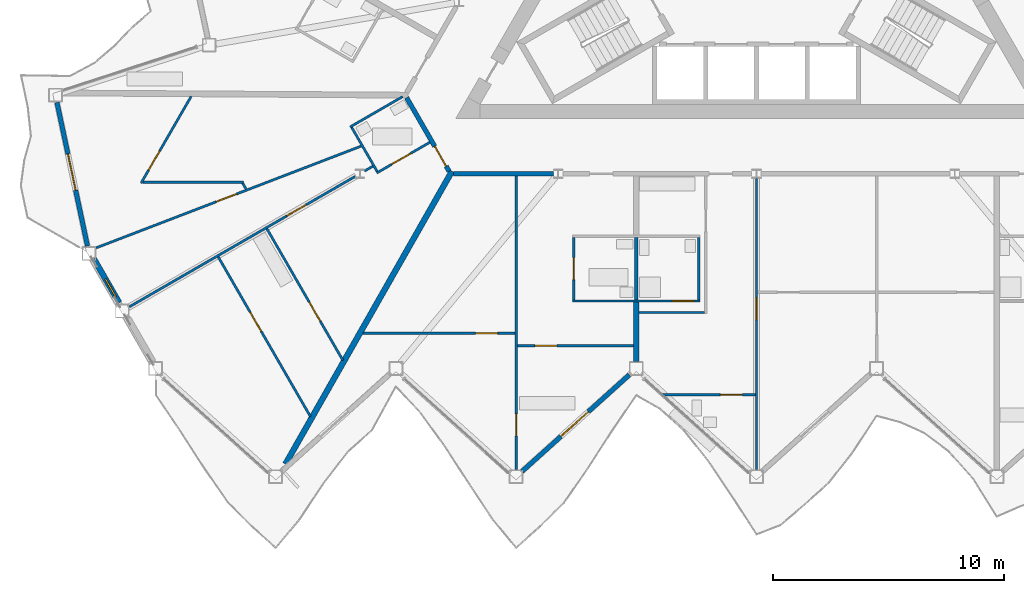
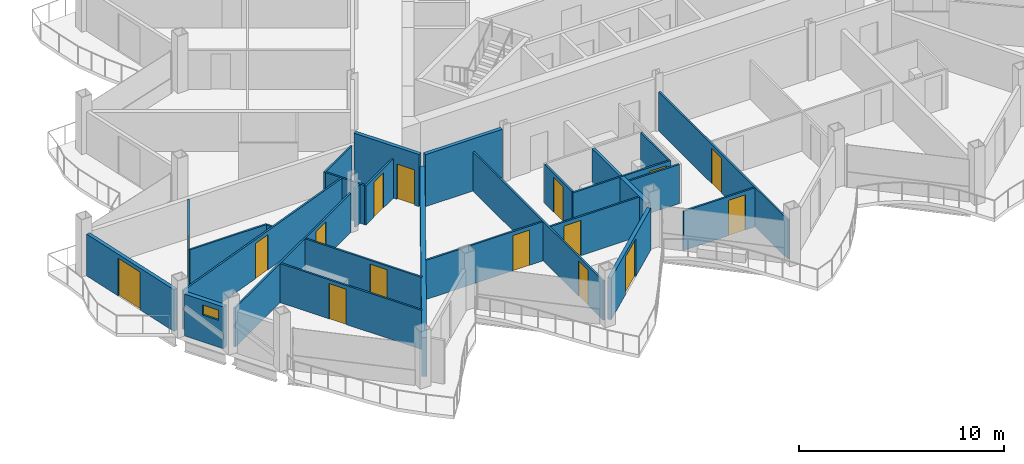
# One storey, part 12 of 26: 28 walls, 16 doors, 1 window, 17 openings.
"""IFC4 building model written with IfcOpenShell, lengths in metres."""

from ifc_helpers import new_model, si_unit, direction, frame, frame_2d, origin, place, context, subcontext, project, spatial, rectangle, extrude, material, layer, layer_set, type_object, element, fill, save


model = new_model("IFC4")

# Units and contexts
model_context = context("Model", 3, precision=1e-05, world=origin(), true_north=direction((0.0, 1.0)))
body_context = subcontext(model_context, "Body", "Model", "MODEL_VIEW")
ifc_project = project(units=[si_unit("LENGTHUNIT", "METRE"), si_unit("AREAUNIT", "SQUARE_METRE"), si_unit("VOLUMEUNIT", "CUBIC_METRE"), si_unit("PLANEANGLEUNIT", "RADIAN"), si_unit("MASSUNIT", "GRAM", prefix="KILO")], contexts=[model_context])

# Site, building, storey
site_placement = place(None, origin())
site = spatial("IfcSite", under=ifc_project, at=site_placement, CompositionType="ELEMENT")
building_placement = place(site_placement, origin())
building = spatial("IfcBuilding", under=site, at=building_placement, Name="Cormorant Prow Tower", CompositionType="ELEMENT")
storey_placement = place(building_placement, frame((0.0, 0.0, 342.60009765625)))
storey = spatial("IfcBuildingStorey", under=building, at=storey_placement, Name="L77", CompositionType="ELEMENT", Elevation=342.60009765625)

# Wall
ifc_material_1 = material(Name="Gypsum board corridor wall")
ifc_layer_1 = layer(ifc_material_1, 0.199951171875)
ifc_layer_set_1 = layer_set([ifc_layer_1], Name="Gypsum board corridor wall")
wall_type_1 = type_object("IfcWallType", Name="Corridor wall 200", PredefinedType="PARTITIONING", material=ifc_layer_set_1)
wall_1_placement = place(storey_placement, frame((-13.10595703125, -9.905517578125, 0.0), z_axis=(0.0, 0.0, 1.0), x_axis=(1.0, 0.0, 0.0)))
element("IfcWall", 1, at=wall_1_placement, inside=storey, type_object=wall_type_1, Name="Corridor wall", PredefinedType="PARTITIONING", context=body_context, shape_type="SweptSolid", body=[
    extrude(rectangle(XDim=4.31982421875, YDim=0.199951171875, at=frame_2d((2.159912109375, 0.0))), origin(), (0.0, 0.0, 1.0), 3.099853515625),
])

# Wall, opening, door
wall_2_placement = place(storey_placement, frame((-15.13134765625, -6.61376953125, 0.0), z_axis=(0.0, 0.0, 1.0), x_axis=(0.499967746641, -0.866044024469, 0.0)))
wall_2 = element("IfcWall", 2, at=wall_2_placement, inside=storey, type_object=wall_type_1, Name="Corridor wall", PredefinedType="PARTITIONING", context=body_context, shape_type="SweptSolid", body=[
    extrude(rectangle(XDim=3.676025390625, YDim=0.199951171875, at=frame_2d((1.837890625, 0.0))), origin(), (0.0, 0.0, 1.0), 3.099853515625),
])
opening_1_placement = place(wall_2_placement, frame((2.426025390625, 0.0, 0.0)))
opening_1 = element("IfcOpeningElement", 3, at=opening_1_placement, cuts=wall_2, Name="Opening L77-F54", PredefinedType="OPENING", context=body_context, shape_type="SweptSolid", body=[
    extrude(rectangle(XDim=1.0, YDim=2.10009765625, at=frame_2d((0.5, 1.050048828125))), frame((0.0, 0.10986328125, 0.0), z_axis=(0.0, -1.0, 0.0), x_axis=(1.0, 0.0, 0.0)), (0.0, 0.0, 1.0), 0.219970703125),
])
ifc_material_2 = material(Name="Timber door leaf", Category="wood")
door_type_1 = type_object("IfcDoorType", Name="Flat or room entrance door 1000x2100", OperationType="NOTDEFINED", PredefinedType="DOOR", material=ifc_material_2)
door_1_placement = place(opening_1_placement, origin())
door_1 = element("IfcDoor", 4, at=door_1_placement, inside=storey, type_object=door_type_1, Name="Living room door", OperationType="SINGLE_SWING_RIGHT", OverallHeight=2.10009765625, OverallWidth=1.0, PredefinedType="DOOR", context=body_context, shape_type="SweptSolid", body=[
    extrude(rectangle(XDim=1.0, YDim=2.10009765625, at=frame_2d((0.5, 1.050048828125))), frame((0.0, 0.02490234375, 0.0), z_axis=(0.0, -1.0, 0.0), x_axis=(1.0, 0.0, 0.0)), (0.0, 0.0, 1.0), 0.050048828125),
])
fill(opening_1, door_1)

ifc_material_3 = material(Name="Gypsum board partition")
ifc_layer_2 = layer(ifc_material_3, 0.10009765625)
ifc_layer_set_2 = layer_set([ifc_layer_2], Name="Gypsum board partition")
wall_type_2 = type_object("IfcWallType", Name="Internal partition 100", PredefinedType="PARTITIONING", material=ifc_layer_set_2)
wall_3_placement = place(storey_placement, frame((-10.39501953125, -22.697998046875, 0.0), z_axis=(0.0, 0.0, 1.0), x_axis=(0.0, 1.0, 0.0)))
wall_3 = element("IfcWall", 5, at=wall_3_placement, inside=storey, type_object=wall_type_2, Name="Internal partition", PredefinedType="PARTITIONING", context=body_context, shape_type="SweptSolid", body=[
    extrude(rectangle(XDim=12.6923828125, YDim=0.10009765625, at=frame_2d((6.34619140625, 0.0))), origin(), (0.0, 0.0, 1.0), 2.330078125),
])
opening_2_placement = place(wall_3_placement, frame((1.45458984375, 0.0, 0.0)))
opening_2 = element("IfcOpeningElement", 6, at=opening_2_placement, cuts=wall_3, Name="Opening L77-F04", PredefinedType="OPENING", context=body_context, shape_type="SweptSolid", body=[
    extrude(rectangle(XDim=0.949951171875, YDim=2.10009765625, at=frame_2d((0.47509765625, 1.050048828125))), frame((0.0, 0.06005859375, 0.0), z_axis=(0.0, -1.0, 0.0), x_axis=(1.0, 0.0, 0.0)), (0.0, 0.0, 1.0), 0.1201171875),
])
ifc_material_4 = material(Name="Timber door leaf", Category="wood")
door_type_2 = type_object("IfcDoorType", Name="Bathroom door 950x2100", OperationType="NOTDEFINED", PredefinedType="DOOR", material=ifc_material_4)
door_2_placement = place(opening_2_placement, origin())
door_2 = element("IfcDoor", 7, at=door_2_placement, inside=storey, type_object=door_type_2, Name="Kitchen door", OperationType="SINGLE_SWING_LEFT", OverallHeight=2.10009765625, OverallWidth=0.949951171875, PredefinedType="DOOR", context=body_context, shape_type="SweptSolid", body=[
    extrude(rectangle(XDim=0.949951171875, YDim=2.10009765625, at=frame_2d((0.47509765625, 1.050048828125))), frame((0.0, 0.02490234375, 0.0), z_axis=(0.0, -1.0, 0.0), x_axis=(1.0, 0.0, 0.0)), (0.0, 0.0, 1.0), 0.050048828125),
])
fill(opening_2, door_2)

wall_4_placement = place(storey_placement, frame((0.0, -22.697998046875, 0.0), z_axis=(0.0, 0.0, 1.0), x_axis=(0.0, 1.0, 0.0)))
wall_4 = element("IfcWall", 8, at=wall_4_placement, inside=storey, type_object=wall_type_2, Name="Internal partition", PredefinedType="PARTITIONING", context=body_context, shape_type="SweptSolid", body=[
    extrude(rectangle(XDim=12.584716796875, YDim=0.10009765625, at=frame_2d((6.29248046875, 0.0))), origin(), (0.0, 0.0, 1.0), 2.330078125),
])
opening_3_placement = place(wall_4_placement, frame((6.469482421875, 0.0, 0.0)))
opening_3 = element("IfcOpeningElement", 9, at=opening_3_placement, cuts=wall_4, Name="Opening L77-F09", PredefinedType="OPENING", context=body_context, shape_type="SweptSolid", body=[
    extrude(rectangle(XDim=0.949951171875, YDim=2.10009765625, at=frame_2d((0.47509765625, 1.050048828125))), frame((0.0, 0.06005859375, 0.0), z_axis=(0.0, -1.0, 0.0), x_axis=(1.0, 0.0, 0.0)), (0.0, 0.0, 1.0), 0.1201171875),
])
door_3_placement = place(opening_3_placement, origin())
door_3 = element("IfcDoor", 10, at=door_3_placement, inside=storey, type_object=door_type_2, Name="Living room door", OperationType="SINGLE_SWING_RIGHT", OverallHeight=2.10009765625, OverallWidth=0.949951171875, PredefinedType="DOOR", context=body_context, shape_type="SweptSolid", body=[
    extrude(rectangle(XDim=0.949951171875, YDim=2.10009765625, at=frame_2d((0.47509765625, 1.050048828125))), frame((0.0, 0.02490234375, 0.0), z_axis=(0.0, -1.0, 0.0), x_axis=(1.0, 0.0, 0.0)), (0.0, 0.0, 1.0), 0.050048828125),
])
fill(opening_3, door_3)

wall_5_placement = place(storey_placement, frame((-28.55908203125, -13.109619140625, 0.0), z_axis=(0.0, 0.0, 1.0), x_axis=(0.933581651686, 0.358364757802, 0.0)))
wall_5 = element("IfcWall", 11, at=wall_5_placement, inside=storey, type_object=wall_type_2, Name="Internal partition", PredefinedType="PARTITIONING", context=body_context, shape_type="SweptSolid", body=[
    extrude(rectangle(XDim=12.2783203125, YDim=0.10009765625, at=frame_2d((6.13916015625, 0.0))), origin(), (0.0, 0.0, 1.0), 2.330078125),
])
opening_4_placement = place(wall_5_placement, frame((5.56396484375, 0.0, 0.0)))
opening_4 = element("IfcOpeningElement", 12, at=opening_4_placement, cuts=wall_5, Name="Opening L77-F59", PredefinedType="OPENING", context=body_context, shape_type="SweptSolid", body=[
    extrude(rectangle(XDim=0.949951171875, YDim=2.10009765625, at=frame_2d((0.47509765625, 1.050048828125))), frame((0.0, 0.06005859375, 0.0), z_axis=(0.0, -1.0, 0.0), x_axis=(1.0, 0.0, 0.0)), (0.0, 0.0, 1.0), 0.1201171875),
])
door_4_placement = place(opening_4_placement, origin())
door_4 = element("IfcDoor", 13, at=door_4_placement, inside=storey, type_object=door_type_2, Name="Bedroom door", OperationType="SINGLE_SWING_RIGHT", OverallHeight=2.10009765625, OverallWidth=0.949951171875, PredefinedType="DOOR", context=body_context, shape_type="SweptSolid", body=[
    extrude(rectangle(XDim=0.949951171875, YDim=2.10009765625, at=frame_2d((0.47509765625, 1.050048828125))), frame((0.0, 0.02490234375, 0.0), z_axis=(0.0, -1.0, 0.0), x_axis=(1.0, 0.0, 0.0)), (0.0, 0.0, 1.0), 0.050048828125),
])
fill(opening_4, door_4)

wall_6_placement = place(storey_placement, frame((-27.122314453125, -15.6591796875, 0.0), z_axis=(0.0, 0.0, 1.0), x_axis=(0.866021046153, 0.500007547564, 0.0)))
wall_6 = element("IfcWall", 14, at=wall_6_placement, inside=storey, type_object=wall_type_2, Name="Internal partition", PredefinedType="PARTITIONING", context=body_context, shape_type="SweptSolid", body=[
    extrude(rectangle(XDim=11.267333984375, YDim=0.10009765625, at=frame_2d((5.6337890625, 0.0))), origin(), (0.0, 0.0, 1.0), 2.330078125),
])
opening_5_placement = place(wall_6_placement, frame((7.86328125, 0.0, 0.0)))
opening_5 = element("IfcOpeningElement", 15, at=opening_5_placement, cuts=wall_6, Name="Opening L77-F58", PredefinedType="OPENING", context=body_context, shape_type="SweptSolid", body=[
    extrude(rectangle(XDim=0.949951171875, YDim=2.10009765625, at=frame_2d((0.47509765625, 1.050048828125))), frame((0.0, 0.06005859375, 0.0), z_axis=(0.0, -1.0, 0.0), x_axis=(1.0, 0.0, 0.0)), (0.0, 0.0, 1.0), 0.1201171875),
])
door_5_placement = place(opening_5_placement, origin())
door_5 = element("IfcDoor", 16, at=door_5_placement, inside=storey, type_object=door_type_2, Name="Living room door", OperationType="SINGLE_SWING_LEFT", OverallHeight=2.10009765625, OverallWidth=0.949951171875, PredefinedType="DOOR", context=body_context, shape_type="SweptSolid", body=[
    extrude(rectangle(XDim=0.949951171875, YDim=2.10009765625, at=frame_2d((0.47509765625, 1.050048828125))), frame((0.0, 0.02490234375, 0.0), z_axis=(0.0, -1.0, 0.0), x_axis=(1.0, 0.0, 0.0)), (0.0, 0.0, 1.0), 0.050048828125),
])
fill(opening_5, door_5)

wall_7_placement = place(storey_placement, frame((-23.28076171875, -13.498779296875, 0.0), z_axis=(0.0, 0.0, 1.0), x_axis=(0.499994510044, -0.866028573389, 0.0)))
wall_7 = element("IfcWall", 17, at=wall_7_placement, inside=storey, type_object=wall_type_2, Name="Internal partition", PredefinedType="PARTITIONING", context=body_context, shape_type="SweptSolid", body=[
    extrude(rectangle(XDim=7.97509765625, YDim=0.10009765625, at=frame_2d((3.987548828125, 0.0))), origin(), (0.0, 0.0, 1.0), 2.330078125),
])
opening_6_placement = place(wall_7_placement, frame((2.759765625, 0.0, 0.0)))
opening_6 = element("IfcOpeningElement", 18, at=opening_6_placement, cuts=wall_7, Name="Opening L77-F57", PredefinedType="OPENING", context=body_context, shape_type="SweptSolid", body=[
    extrude(rectangle(XDim=0.949951171875, YDim=2.10009765625, at=frame_2d((0.47509765625, 1.050048828125))), frame((0.0, 0.06005859375, 0.0), z_axis=(0.0, -1.0, 0.0), x_axis=(1.0, 0.0, 0.0)), (0.0, 0.0, 1.0), 0.1201171875),
])
door_6_placement = place(opening_6_placement, origin())
door_6 = element("IfcDoor", 19, at=door_6_placement, inside=storey, type_object=door_type_2, Name="Kitchen door", OperationType="SINGLE_SWING_RIGHT", OverallHeight=2.10009765625, OverallWidth=0.949951171875, PredefinedType="DOOR", context=body_context, shape_type="SweptSolid", body=[
    extrude(rectangle(XDim=0.949951171875, YDim=2.10009765625, at=frame_2d((0.47509765625, 1.050048828125))), frame((0.0, 0.02490234375, 0.0), z_axis=(0.0, -1.0, 0.0), x_axis=(1.0, 0.0, 0.0)), (0.0, 0.0, 1.0), 0.050048828125),
])
fill(opening_6, door_6)

wall_8_placement = place(storey_placement, frame((-17.028076171875, -16.801025390625, 0.0), z_axis=(0.0, 0.0, 1.0), x_axis=(1.0, 0.0, 0.0)))
wall_8 = element("IfcWall", 20, at=wall_8_placement, inside=storey, type_object=wall_type_2, Name="Internal partition", PredefinedType="PARTITIONING", context=body_context, shape_type="SweptSolid", body=[
    extrude(rectangle(XDim=6.5830078125, YDim=0.10009765625, at=frame_2d((3.29150390625, 0.0))), origin(), (0.0, 0.0, 1.0), 2.330078125),
])
opening_7_placement = place(wall_8_placement, frame((4.879638671875, 0.0, 0.0)))
opening_7 = element("IfcOpeningElement", 21, at=opening_7_placement, cuts=wall_8, Name="Opening L77-F05", PredefinedType="OPENING", context=body_context, shape_type="SweptSolid", body=[
    extrude(rectangle(XDim=0.949951171875, YDim=2.10009765625, at=frame_2d((0.47509765625, 1.050048828125))), frame((0.0, 0.06005859375, 0.0), z_axis=(0.0, -1.0, 0.0), x_axis=(1.0, 0.0, 0.0)), (0.0, 0.0, 1.0), 0.1201171875),
])
door_7_placement = place(opening_7_placement, origin())
door_7 = element("IfcDoor", 22, at=door_7_placement, inside=storey, type_object=door_type_2, Name="Bedroom door", OperationType="SINGLE_SWING_RIGHT", OverallHeight=2.10009765625, OverallWidth=0.949951171875, PredefinedType="DOOR", context=body_context, shape_type="SweptSolid", body=[
    extrude(rectangle(XDim=0.949951171875, YDim=2.10009765625, at=frame_2d((0.47509765625, 1.050048828125))), frame((0.0, 0.02490234375, 0.0), z_axis=(0.0, -1.0, 0.0), x_axis=(1.0, 0.0, 0.0)), (0.0, 0.0, 1.0), 0.050048828125),
])
fill(opening_7, door_7)

wall_9_placement = place(storey_placement, frame((-21.175048828125, -12.283203125, 0.0), z_axis=(0.0, 0.0, 1.0), x_axis=(0.49999903102, -0.866025963225, 0.0)))
wall_9 = element("IfcWall", 23, at=wall_9_placement, inside=storey, type_object=wall_type_2, Name="Internal partition", PredefinedType="PARTITIONING", context=body_context, shape_type="SweptSolid", body=[
    extrude(rectangle(XDim=6.5712890625, YDim=0.10009765625, at=frame_2d((3.28564453125, 0.0))), origin(), (0.0, 0.0, 1.0), 2.330078125),
])
opening_8_placement = place(wall_9_placement, frame((3.664306640625, 0.0, 0.0)))
opening_8 = element("IfcOpeningElement", 24, at=opening_8_placement, cuts=wall_9, Name="Opening L77-F56", PredefinedType="OPENING", context=body_context, shape_type="SweptSolid", body=[
    extrude(rectangle(XDim=0.949951171875, YDim=2.10009765625, at=frame_2d((0.47509765625, 1.050048828125))), frame((0.0, 0.06005859375, 0.0), z_axis=(0.0, -1.0, 0.0), x_axis=(1.0, 0.0, 0.0)), (0.0, 0.0, 1.0), 0.1201171875),
])
door_8_placement = place(opening_8_placement, origin())
door_8 = element("IfcDoor", 25, at=door_8_placement, inside=storey, type_object=door_type_2, Name="Living room door", OperationType="SINGLE_SWING_RIGHT", OverallHeight=2.10009765625, OverallWidth=0.949951171875, PredefinedType="DOOR", context=body_context, shape_type="SweptSolid", body=[
    extrude(rectangle(XDim=0.949951171875, YDim=2.10009765625, at=frame_2d((0.47509765625, 1.050048828125))), frame((0.0, 0.02490234375, 0.0), z_axis=(0.0, -1.0, 0.0), x_axis=(1.0, 0.0, 0.0)), (0.0, 0.0, 1.0), 0.050048828125),
])
fill(opening_8, door_8)

wall_10_placement = place(storey_placement, frame((-7.947509765625, -15.405517578125, 0.0), z_axis=(0.0, 0.0, 1.0), x_axis=(1.0, 0.0, 0.0)))
wall_10 = element("IfcWall", 26, at=wall_10_placement, inside=storey, type_object=wall_type_2, Name="Internal partition", PredefinedType="PARTITIONING", context=body_context, shape_type="SweptSolid", body=[
    extrude(rectangle(XDim=5.5, YDim=0.10009765625, at=frame_2d((2.75, 0.0))), origin(), (0.0, 0.0, 1.0), 2.330078125),
])
opening_9_placement = place(wall_10_placement, frame((4.300048828125, 0.0, 0.0)))
opening_9 = element("IfcOpeningElement", 27, at=opening_9_placement, cuts=wall_10, Name="Opening L77-F13", PredefinedType="OPENING", context=body_context, shape_type="SweptSolid", body=[
    extrude(rectangle(XDim=0.949951171875, YDim=2.10009765625, at=frame_2d((0.47509765625, 1.050048828125))), frame((0.0, 0.06005859375, 0.0), z_axis=(0.0, -1.0, 0.0), x_axis=(1.0, 0.0, 0.0)), (0.0, 0.0, 1.0), 0.1201171875),
])
door_9_placement = place(opening_9_placement, origin())
door_9 = element("IfcDoor", 28, at=door_9_placement, inside=storey, type_object=door_type_2, Name="Kitchen door", OperationType="SINGLE_SWING_RIGHT", OverallHeight=2.10009765625, OverallWidth=0.949951171875, PredefinedType="DOOR", context=body_context, shape_type="SweptSolid", body=[
    extrude(rectangle(XDim=0.949951171875, YDim=2.10009765625, at=frame_2d((0.47509765625, 1.050048828125))), frame((0.0, 0.02490234375, 0.0), z_axis=(0.0, -1.0, 0.0), x_axis=(1.0, 0.0, 0.0)), (0.0, 0.0, 1.0), 0.050048828125),
])
fill(opening_9, door_9)

wall_11_placement = place(storey_placement, frame((-10.34521484375, -17.34228515625, 0.0), z_axis=(0.0, 0.0, 1.0), x_axis=(1.0, 0.0, 0.0)))
wall_11 = element("IfcWall", 29, at=wall_11_placement, inside=storey, type_object=wall_type_2, Name="Internal partition", PredefinedType="PARTITIONING", context=body_context, shape_type="SweptSolid", body=[
    extrude(rectangle(XDim=5.022705078125, YDim=0.10009765625, at=frame_2d((2.51123046875, 0.0))), origin(), (0.0, 0.0, 1.0), 2.330078125),
])
opening_10_placement = place(wall_11_placement, frame((0.76025390625, 0.0, 0.0)))
opening_10 = element("IfcOpeningElement", 30, at=opening_10_placement, cuts=wall_11, Name="Opening L77-F03", PredefinedType="OPENING", context=body_context, shape_type="SweptSolid", body=[
    extrude(rectangle(XDim=0.949951171875, YDim=2.10009765625, at=frame_2d((0.47509765625, 1.050048828125))), frame((0.0, 0.06005859375, 0.0), z_axis=(0.0, -1.0, 0.0), x_axis=(1.0, 0.0, 0.0)), (0.0, 0.0, 1.0), 0.1201171875),
])
door_10_placement = place(opening_10_placement, origin())
door_10 = element("IfcDoor", 31, at=door_10_placement, inside=storey, type_object=door_type_2, Name="Living room door", OperationType="SINGLE_SWING_LEFT", OverallHeight=2.10009765625, OverallWidth=0.949951171875, PredefinedType="DOOR", context=body_context, shape_type="SweptSolid", body=[
    extrude(rectangle(XDim=0.949951171875, YDim=2.10009765625, at=frame_2d((0.47509765625, 1.050048828125))), frame((0.0, 0.02490234375, 0.0), z_axis=(0.0, -1.0, 0.0), x_axis=(1.0, 0.0, 0.0)), (0.0, 0.0, 1.0), 0.050048828125),
])
fill(opening_10, door_10)

wall_12_placement = place(storey_placement, frame((-26.618896484375, -10.3125, 0.0), z_axis=(0.0, 0.0, 1.0), x_axis=(0.500060114735, 0.865990693744, 0.0)))
wall_12 = element("IfcWall", 32, at=wall_12_placement, inside=storey, type_object=wall_type_2, Name="Internal partition", PredefinedType="PARTITIONING", context=body_context, shape_type="SweptSolid", body=[
    extrude(rectangle(XDim=4.33935546875, YDim=0.10009765625, at=frame_2d((2.169677734375, 0.0))), origin(), (0.0, 0.0, 1.0), 2.330078125),
])
opening_11_placement = place(wall_12_placement, frame((0.662841796875, 0.0, 0.0)))
opening_11 = element("IfcOpeningElement", 33, at=opening_11_placement, cuts=wall_12, Name="Opening L77-F60", PredefinedType="OPENING", context=body_context, shape_type="SweptSolid", body=[
    extrude(rectangle(XDim=0.949951171875, YDim=2.10009765625, at=frame_2d((0.47509765625, 1.050048828125))), frame((0.0, 0.06005859375, 0.0), z_axis=(0.0, -1.0, 0.0), x_axis=(1.0, 0.0, 0.0)), (0.0, 0.0, 1.0), 0.1201171875),
])
door_11_placement = place(opening_11_placement, origin())
door_11 = element("IfcDoor", 34, at=door_11_placement, inside=storey, type_object=door_type_2, Name="Bedroom door", OperationType="SINGLE_SWING_LEFT", OverallHeight=2.10009765625, OverallWidth=0.949951171875, PredefinedType="DOOR", context=body_context, shape_type="SweptSolid", body=[
    extrude(rectangle(XDim=0.949951171875, YDim=2.10009765625, at=frame_2d((0.47509765625, 1.050048828125))), frame((0.0, 0.02490234375, 0.0), z_axis=(0.0, -1.0, 0.0), x_axis=(1.0, 0.0, 0.0)), (0.0, 0.0, 1.0), 0.050048828125),
])
fill(opening_11, door_11)

# Wall
wall_13_placement = place(storey_placement, frame((-26.543701171875, -10.269287109375, 0.0), z_axis=(0.0, 0.0, 1.0), x_axis=(1.0, 0.0, 0.0)))
element("IfcWall", 35, at=wall_13_placement, inside=storey, type_object=wall_type_2, Name="Internal partition", PredefinedType="PARTITIONING", context=body_context, shape_type="SweptSolid", body=[
    extrude(rectangle(XDim=4.345947265625, YDim=0.10009765625, at=frame_2d((2.1728515625, 0.0))), origin(), (0.0, 0.0, 1.0), 2.330078125),
])

# Wall, opening, door
wall_14_placement = place(storey_placement, frame((-4.08154296875, -19.47021484375, 0.0), z_axis=(0.0, 0.0, 1.0), x_axis=(1.0, 0.0, 0.0)))
wall_14 = element("IfcWall", 36, at=wall_14_placement, inside=storey, type_object=wall_type_2, Name="Internal partition", PredefinedType="PARTITIONING", context=body_context, shape_type="SweptSolid", body=[
    extrude(rectangle(XDim=4.031494140625, YDim=0.10009765625, at=frame_2d((2.015625, 0.0))), origin(), (0.0, 0.0, 1.0), 2.330078125),
])
opening_12_placement = place(wall_14_placement, frame((2.521728515625, 0.0, 0.0)))
opening_12 = element("IfcOpeningElement", 37, at=opening_12_placement, cuts=wall_14, Name="Opening L77-F07", PredefinedType="OPENING", context=body_context, shape_type="SweptSolid", body=[
    extrude(rectangle(XDim=0.949951171875, YDim=2.10009765625, at=frame_2d((0.47509765625, 1.050048828125))), frame((0.0, 0.06005859375, 0.0), z_axis=(0.0, -1.0, 0.0), x_axis=(1.0, 0.0, 0.0)), (0.0, 0.0, 1.0), 0.1201171875),
])
door_12_placement = place(opening_12_placement, origin())
door_12 = element("IfcDoor", 38, at=door_12_placement, inside=storey, type_object=door_type_2, Name="Living room door", OperationType="SINGLE_SWING_RIGHT", OverallHeight=2.10009765625, OverallWidth=0.949951171875, PredefinedType="DOOR", context=body_context, shape_type="SweptSolid", body=[
    extrude(rectangle(XDim=0.949951171875, YDim=2.10009765625, at=frame_2d((0.47509765625, 1.050048828125))), frame((0.0, 0.02490234375, 0.0), z_axis=(0.0, -1.0, 0.0), x_axis=(1.0, 0.0, 0.0)), (0.0, 0.0, 1.0), 0.050048828125),
])
fill(opening_12, door_12)

# Wall
wall_15_placement = place(storey_placement, frame((-5.072509765625, -15.905517578125, 0.0), z_axis=(0.0, 0.0, 1.0), x_axis=(1.0, 0.0, 0.0)))
element("IfcWall", 39, at=wall_15_placement, inside=storey, type_object=wall_type_2, Name="Internal partition", PredefinedType="PARTITIONING", context=body_context, shape_type="SweptSolid", body=[
    extrude(rectangle(XDim=2.824951171875, YDim=0.10009765625, at=frame_2d((1.41259765625, 0.0))), origin(), (0.0, 0.0, 1.0), 2.330078125),
])

# Wall, opening, door
wall_16_placement = place(storey_placement, frame((-7.8974609375, -15.355712890625, 0.0), z_axis=(0.0, 0.0, 1.0), x_axis=(0.0, 1.0, 0.0)))
wall_16 = element("IfcWall", 40, at=wall_16_placement, inside=storey, type_object=wall_type_2, Name="Internal partition", PredefinedType="PARTITIONING", context=body_context, shape_type="SweptSolid", body=[
    extrude(rectangle(XDim=2.7001953125, YDim=0.10009765625, at=frame_2d((1.35009765625, 0.0))), origin(), (0.0, 0.0, 1.0), 2.330078125),
])
opening_13_placement = place(wall_16_placement, frame((0.875, 0.0, 0.0)))
opening_13 = element("IfcOpeningElement", 41, at=opening_13_placement, cuts=wall_16, Name="Opening L77-F02", PredefinedType="OPENING", context=body_context, shape_type="SweptSolid", body=[
    extrude(rectangle(XDim=0.949951171875, YDim=2.10009765625, at=frame_2d((0.47509765625, 1.050048828125))), frame((0.0, 0.06005859375, 0.0), z_axis=(0.0, -1.0, 0.0), x_axis=(1.0, 0.0, 0.0)), (0.0, 0.0, 1.0), 0.1201171875),
])
door_13_placement = place(opening_13_placement, origin())
door_13 = element("IfcDoor", 42, at=door_13_placement, inside=storey, type_object=door_type_2, Name="Living room door", OperationType="SINGLE_SWING_RIGHT", OverallHeight=2.10009765625, OverallWidth=0.949951171875, PredefinedType="DOOR", context=body_context, shape_type="SweptSolid", body=[
    extrude(rectangle(XDim=0.949951171875, YDim=2.10009765625, at=frame_2d((0.47509765625, 1.050048828125))), frame((0.0, 0.02490234375, 0.0), z_axis=(0.0, -1.0, 0.0), x_axis=(1.0, 0.0, 0.0)), (0.0, 0.0, 1.0), 0.050048828125),
])
fill(opening_13, door_13)

# Wall
wall_17_placement = place(storey_placement, frame((-2.49755859375, -15.355712890625, 0.0), z_axis=(0.0, 0.0, 1.0), x_axis=(0.0, 1.0, 0.0)))
element("IfcWall", 43, at=wall_17_placement, inside=storey, type_object=wall_type_2, Name="Internal partition", PredefinedType="PARTITIONING", context=body_context, shape_type="SweptSolid", body=[
    extrude(rectangle(XDim=2.7001953125, YDim=0.10009765625, at=frame_2d((1.35009765625, 0.0))), origin(), (0.0, 0.0, 1.0), 2.330078125),
])

# Wall, opening, door
wall_18_placement = place(storey_placement, frame((-16.425537109375, -9.872314453125, 0.0), z_axis=(0.0, 0.0, 1.0), x_axis=(0.866029095148, 0.499993606316, 0.0)))
wall_18 = element("IfcWall", 44, at=wall_18_placement, inside=storey, type_object=wall_type_2, Name="Internal partition", PredefinedType="PARTITIONING", context=body_context, shape_type="SweptSolid", body=[
    extrude(rectangle(XDim=2.64990234375, YDim=0.10009765625, at=frame_2d((1.324951171875, 0.0))), origin(), (0.0, 0.0, 1.0), 2.330078125),
])
opening_14_placement = place(wall_18_placement, frame((0.75, 0.0, 0.0)))
opening_14 = element("IfcOpeningElement", 45, at=opening_14_placement, cuts=wall_18, Name="Opening L77-F55", PredefinedType="OPENING", context=body_context, shape_type="SweptSolid", body=[
    extrude(rectangle(XDim=0.949951171875, YDim=2.10009765625, at=frame_2d((0.47509765625, 1.050048828125))), frame((0.0, 0.06005859375, 0.0), z_axis=(0.0, -1.0, 0.0), x_axis=(1.0, 0.0, 0.0)), (0.0, 0.0, 1.0), 0.1201171875),
])
door_14_placement = place(opening_14_placement, origin())
door_14 = element("IfcDoor", 46, at=door_14_placement, inside=storey, type_object=door_type_2, Name="Living room door", OperationType="SINGLE_SWING_LEFT", OverallHeight=2.10009765625, OverallWidth=0.949951171875, PredefinedType="DOOR", context=body_context, shape_type="SweptSolid", body=[
    extrude(rectangle(XDim=0.949951171875, YDim=2.10009765625, at=frame_2d((0.47509765625, 1.050048828125))), frame((0.0, 0.02490234375, 0.0), z_axis=(0.0, -1.0, 0.0), x_axis=(1.0, 0.0, 0.0)), (0.0, 0.0, 1.0), 0.050048828125),
])
fill(opening_14, door_14)

# Walls
wall_19_placement = place(storey_placement, frame((-17.575439453125, -7.880615234375, 0.0), z_axis=(0.0, 0.0, 1.0), x_axis=(0.866013657776, 0.500020344131, 0.0)))
element("IfcWall", 47, at=wall_19_placement, inside=storey, type_object=wall_type_2, Name="Internal partition", PredefinedType="PARTITIONING", context=body_context, shape_type="SweptSolid", body=[
    extrude(rectangle(XDim=2.625, YDim=0.10009765625, at=frame_2d((1.3125, 0.0))), origin(), (0.0, 0.0, 1.0), 2.330078125),
])
wall_20_placement = place(storey_placement, frame((-17.507080078125, -7.89892578125, 0.0), z_axis=(0.0, 0.0, 1.0), x_axis=(0.499946605688, -0.86605622881, 0.0)))
element("IfcWall", 48, at=wall_20_placement, inside=storey, type_object=wall_type_2, Name="Internal partition", PredefinedType="PARTITIONING", context=body_context, shape_type="SweptSolid", body=[
    extrude(rectangle(XDim=2.199951171875, YDim=0.10009765625, at=frame_2d((1.10009765625, 0.0))), origin(), (0.0, 0.0, 1.0), 2.330078125),
])
wall_21_placement = place(storey_placement, frame((-16.94921875, -9.78564453125, 0.0), z_axis=(0.0, 0.0, 1.0), x_axis=(0.866036909293, 0.499980071345, 0.0)))
element("IfcWall", 49, at=wall_21_placement, inside=storey, type_object=wall_type_2, Name="Internal partition", PredefinedType="PARTITIONING", context=body_context, shape_type="SweptSolid", body=[
    extrude(rectangle(XDim=0.41015625, YDim=0.10009765625, at=frame_2d((0.205078125, 0.0))), origin(), (0.0, 0.0, 1.0), 2.330078125),
])
wall_22_placement = place(storey_placement, frame((-22.22265625, -10.3125, 0.0), z_axis=(0.0, 0.0, 1.0), x_axis=(0.499435617606, -0.866351005001, 0.0)))
element("IfcWall", 50, at=wall_22_placement, inside=storey, type_object=wall_type_2, Name="Internal partition", PredefinedType="PARTITIONING", context=body_context, shape_type="SweptSolid", body=[
    extrude(rectangle(XDim=0.294677734375, YDim=0.10009765625, at=frame_2d((0.1474609375, 0.0))), origin(), (0.0, 0.0, 1.0), 2.330078125),
])
ifc_material_5 = material(Name="Acoustic gypsum party wall")
ifc_layer_3 = layer(ifc_material_5, 0.25)
ifc_layer_set_3 = layer_set([ifc_layer_3], Name="Acoustic gypsum party wall")
wall_type_3 = type_object("IfcWallType", Name="Suite party wall 250", PredefinedType="PARTITIONING", material=ifc_layer_set_3)
wall_23_placement = place(storey_placement, frame((-20.3740234375, -22.4638671875, 0.0), z_axis=(0.0, 0.0, 1.0), x_axis=(0.494420378154, 0.869222922884, 0.0)))
element("IfcWall", 51, at=wall_23_placement, inside=storey, type_object=wall_type_3, Name="Suite party wall", PredefinedType="PARTITIONING", context=body_context, shape_type="SweptSolid", body=[
    extrude(rectangle(XDim=14.57275390625, YDim=0.25, at=frame_2d((7.286376953125, 0.0))), origin(), (0.0, 0.0, 1.0), 2.330078125),
])
wall_24_placement = place(storey_placement, frame((-5.197509765625, -18.016845703125, 0.0), z_axis=(0.0, 0.0, 1.0), x_axis=(0.0, 1.0, 0.0)))
element("IfcWall", 52, at=wall_24_placement, inside=storey, type_object=wall_type_3, Name="Suite party wall", PredefinedType="PARTITIONING", context=body_context, shape_type="SweptSolid", body=[
    extrude(rectangle(XDim=2.561279296875, YDim=0.25, at=frame_2d((1.28076171875, 0.0))), origin(), (0.0, 0.0, 1.0), 2.330078125),
])

# Wall, opening, window
ifc_material_6 = material(Name="Terracotta", Category="masonry")
ifc_layer_4 = layer(ifc_material_6, 0.25)
ifc_layer_set_4 = layer_set([ifc_layer_4], Name="Terracotta")
wall_type_4 = type_object("IfcWallType", Name="Terracotta bay wall 250", PredefinedType="SOLIDWALL", material=ifc_layer_set_4)
wall_25_placement = place(storey_placement, frame((-28.66015625, -13.586669921875, 0.0), z_axis=(0.0, 0.0, 1.0), x_axis=(0.500049712553, -0.865996700326, 0.0)))
wall_25 = element("IfcWall", 53, at=wall_25_placement, inside=storey, type_object=wall_type_4, Name="Terracotta bay wall WSW00", PredefinedType="SOLIDWALL", context=body_context, shape_type="SweptSolid", body=[
    extrude(rectangle(XDim=2.195556640625, YDim=0.25, at=frame_2d((1.09765625, 0.0))), origin(), (0.0, 0.0, 1.0), 2.48779296875),
])
opening_15_placement = place(wall_25_placement, frame((1.0, 0.0, 1.60009765625)))
opening_15 = element("IfcOpeningElement", 54, at=opening_15_placement, cuts=wall_25, Name="Opening WN7", PredefinedType="OPENING", context=body_context, shape_type="SweptSolid", body=[
    extrude(rectangle(XDim=0.89990234375, YDim=0.60009765625, at=frame_2d((0.449951171875, 0.300048828125))), frame((0.0, 0.135009765625, 0.0), z_axis=(0.0, -1.0, 0.0), x_axis=(1.0, 0.0, 0.0)), (0.0, 0.0, 1.0), 0.27001953125),
])
ifc_material_7 = material(Name="Aluminium 6063-T6", Category="aluminium")
window_type = type_object("IfcWindowType", Name="Corner bay window 900x600", PartitioningType="SINGLE_PANEL", PredefinedType="WINDOW", material=ifc_material_7)
window_placement = place(opening_15_placement, origin())
window = element("IfcWindow", 55, at=window_placement, inside=storey, type_object=window_type, Name="Corner bay window WSW00", OverallHeight=0.60009765625, OverallWidth=0.89990234375, PartitioningType="SINGLE_PANEL", PredefinedType="WINDOW", context=body_context, shape_type="SweptSolid", body=[
    extrude(rectangle(XDim=0.89990234375, YDim=0.60009765625, at=frame_2d((0.449951171875, 0.300048828125))), frame((0.0, 0.030029296875, 0.0), z_axis=(0.0, -1.0, 0.0), x_axis=(1.0, 0.0, 0.0)), (0.0, 0.0, 1.0), 0.06005859375),
])
fill(opening_15, window)

# Wall, opening, door
ifc_material_8 = material(Name="Terracotta", Category="masonry")
ifc_layer_5 = layer(ifc_material_8, 0.199951171875)
ifc_layer_set_5 = layer_set([ifc_layer_5], Name="Terracotta")
wall_type_5 = type_object("IfcWallType", Name="Terracotta jamb wall 200", PredefinedType="SOLIDWALL", material=ifc_layer_set_5)
wall_26_placement = place(storey_placement, frame((-10.139404296875, -22.78076171875, 0.0), z_axis=(0.0, 0.0, 1.0), x_axis=(0.743144430218, 0.669131045339, 0.0)))
wall_26 = element("IfcWall", 56, at=wall_26_placement, inside=storey, type_object=wall_type_5, Name="Terracotta jamb wall S03", PredefinedType="SOLIDWALL", context=body_context, shape_type="SweptSolid", body=[
    extrude(rectangle(XDim=6.244140625, YDim=0.199951171875, at=frame_2d((3.1220703125, 0.0))), origin(), (0.0, 0.0, 1.0), 2.48779296875),
])
opening_16_placement = place(wall_26_placement, frame((2.262939453125, 0.0, 0.0)))
opening_16 = element("IfcOpeningElement", 57, at=opening_16_placement, cuts=wall_26, Name="Opening ED77.02", PredefinedType="OPENING", context=body_context, shape_type="SweptSolid", body=[
    extrude(rectangle(XDim=1.60009765625, YDim=2.25, at=frame_2d((0.800048828125, 1.125))), frame((0.0, 0.10986328125, 0.0), z_axis=(0.0, -1.0, 0.0), x_axis=(1.0, 0.0, 0.0)), (0.0, 0.0, 1.0), 0.219970703125),
])
ifc_material_9 = material(Name="Aluminium 6063-T6", Category="aluminium")
door_type_3 = type_object("IfcDoorType", Name="Balcony door 1600x2250", OperationType="DOUBLE_DOOR_SINGLE_SWING", PredefinedType="DOOR", material=ifc_material_9)
door_15_placement = place(opening_16_placement, origin())
door_15 = element("IfcDoor", 58, at=door_15_placement, inside=storey, type_object=door_type_3, Name="Balcony door S03 ED77.02", OperationType="DOUBLE_DOOR_SINGLE_SWING", OverallHeight=2.25, OverallWidth=1.60009765625, PredefinedType="DOOR", context=body_context, shape_type="SweptSolid", body=[
    extrude(rectangle(XDim=1.60009765625, YDim=2.25, at=frame_2d((0.800048828125, 1.125))), frame((0.0, 0.02490234375, 0.0), z_axis=(0.0, -1.0, 0.0), x_axis=(1.0, 0.0, 0.0)), (0.0, 0.0, 1.0), 0.050048828125),
])
fill(opening_16, door_15)

wall_27_placement = place(storey_placement, frame((-30.25439453125, -6.82275390625, 0.0), z_axis=(0.0, 0.0, 1.0), x_axis=(0.207926823578, -0.978144384044, 0.0)))
wall_27 = element("IfcWall", 59, at=wall_27_placement, inside=storey, type_object=wall_type_5, Name="Terracotta jamb wall WNW09", PredefinedType="SOLIDWALL", context=body_context, shape_type="SweptSolid", body=[
    extrude(rectangle(XDim=6.3486328125, YDim=0.199951171875, at=frame_2d((3.17431640625, 0.0))), origin(), (0.0, 0.0, 1.0), 2.48779296875),
])
opening_17_placement = place(wall_27_placement, frame((2.2763671875, 0.0, 0.0)))
opening_17 = element("IfcOpeningElement", 60, at=opening_17_placement, cuts=wall_27, Name="Opening ED77.15", PredefinedType="OPENING", context=body_context, shape_type="SweptSolid", body=[
    extrude(rectangle(XDim=1.60009765625, YDim=2.25, at=frame_2d((0.800048828125, 1.125))), frame((0.0, 0.10986328125, 0.0), z_axis=(0.0, -1.0, 0.0), x_axis=(1.0, 0.0, 0.0)), (0.0, 0.0, 1.0), 0.219970703125),
])
door_16_placement = place(opening_17_placement, origin())
door_16 = element("IfcDoor", 61, at=door_16_placement, inside=storey, type_object=door_type_3, Name="Balcony door WNW09 ED77.15", OperationType="DOUBLE_DOOR_SINGLE_SWING", OverallHeight=2.25, OverallWidth=1.60009765625, PredefinedType="DOOR", context=body_context, shape_type="SweptSolid", body=[
    extrude(rectangle(XDim=1.60009765625, YDim=2.25, at=frame_2d((0.800048828125, 1.125))), frame((0.0, 0.02490234375, 0.0), z_axis=(0.0, -1.0, 0.0), x_axis=(1.0, 0.0, 0.0)), (0.0, 0.0, 1.0), 0.050048828125),
])
fill(opening_17, door_16)

# Wall
ifc_material_10 = material(Name="Plasterboard wet wall with pipe chase")
ifc_layer_6 = layer(ifc_material_10, 0.14990234375)
ifc_layer_set_6 = layer_set([ifc_layer_6], Name="Plasterboard wet wall with pipe chase")
wall_type_6 = type_object("IfcWallType", Name="Wet wall 150", PredefinedType="PLUMBINGWALL", material=ifc_layer_set_6)
wall_28_placement = place(storey_placement, frame((-5.197509765625, -15.355712890625, 0.0), z_axis=(0.0, 0.0, 1.0), x_axis=(0.0, 1.0, 0.0)))
element("IfcWall", 62, at=wall_28_placement, inside=storey, type_object=wall_type_6, Name="Wet wall", PredefinedType="PLUMBINGWALL", context=body_context, shape_type="SweptSolid", body=[
    extrude(rectangle(XDim=2.7001953125, YDim=0.14990234375, at=frame_2d((1.35009765625, 0.0))), origin(), (0.0, 0.0, 1.0), 2.330078125),
])

save(model, "model.ifc")
